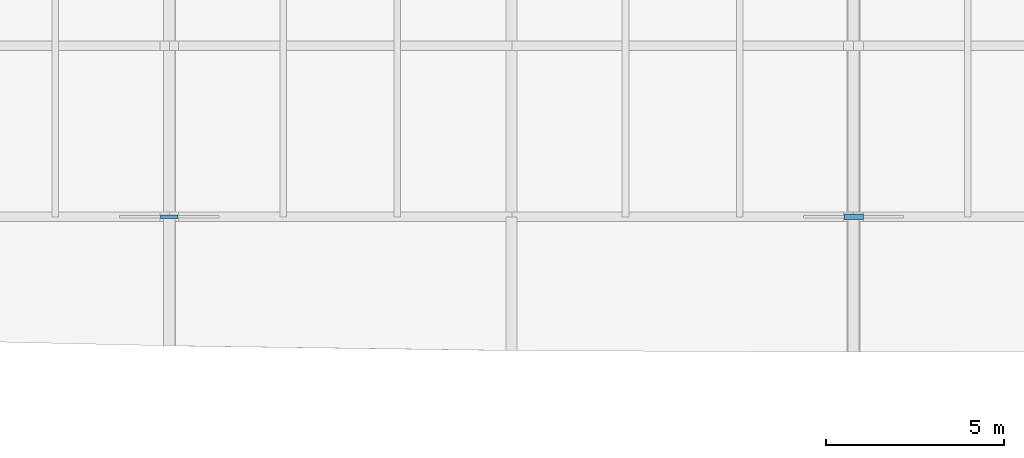
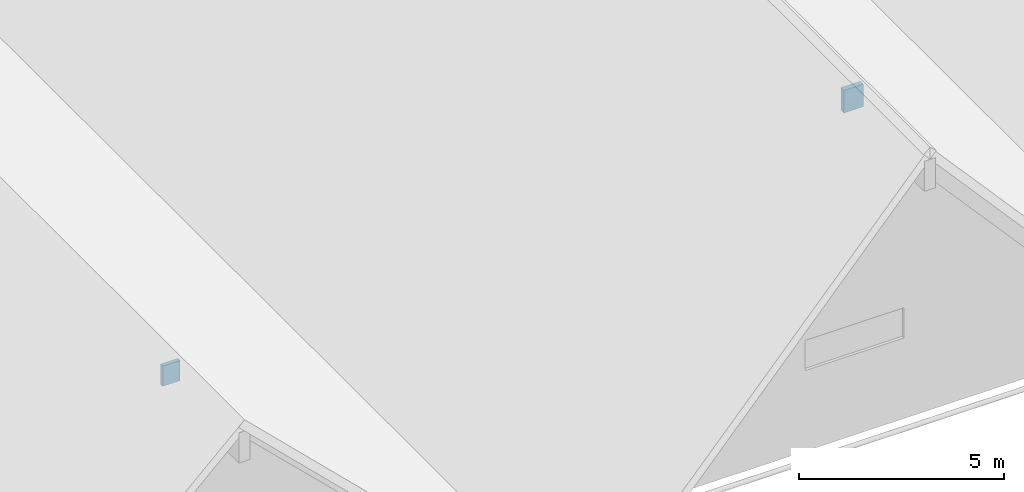
# One storey, part 25 of 42: 2 plates.
"""IFC4 building model written with IfcOpenShell, lengths in metres."""

import ifcopenshell
import ifcopenshell.guid

model = None  # the IFC model being written
_history = None  # IfcOwnerHistory: only IFC2X3 demands one
_inside = {}  # id of a spatial element -> (the spatial element, [elements in it])
_under = {}  # id of a project, library or spatial element -> (it, [spatial elements below it])
_declared = {}  # id of a project -> (the project, [libraries it declares])
_typed = {}  # id of a type object -> (the type object, [elements of that type])
_made_of = {}  # id of a material, layer set ... -> (it, [elements and type objects made of it])


def new_model(schema):
    """Start an empty IFC model of exactly this schema.

    Asked for "IFC4X3", IfcOpenShell would pick the latest addendum, in which some entities
    have other attributes; the version numbers below select the first issue.
    IFC2X3 requires an IfcOwnerHistory on every rooted entity: one is made here for all.
    """
    global model, _history
    if schema == "IFC4X3":
        model = ifcopenshell.file(schema_version=(4, 3, 0, 0))
    else:
        model = ifcopenshell.file(schema=schema)
    _inside.clear()
    _under.clear()
    _declared.clear()
    _typed.clear()
    _made_of.clear()
    _history = None
    if model.schema == "IFC2X3":
        org = make("IfcOrganization", Name="unknown")
        user = make(
            "IfcPersonAndOrganization",
            ThePerson=make("IfcPerson", FamilyName="unknown"),
            TheOrganization=org,
        )
        app = make(
            "IfcApplication",
            ApplicationDeveloper=org,
            Version="unknown",
            ApplicationFullName="unknown",
            ApplicationIdentifier="unknown",
        )
        _history = make(
            "IfcOwnerHistory",
            OwningUser=user,
            OwningApplication=app,
            ChangeAction="ADDED",
            CreationDate=0,
        )
    return model


def make(cls, **values):
    """One entity of the class cls with the attributes given. An attribute that is None is left unset."""
    return model.create_entity(
        cls, **{name: value for name, value in values.items() if value is not None}
    )


def rooted(cls, **values):
    """An entity with a GlobalId (a new one), such as an element, a storey or a relation."""
    return make(cls, GlobalId=ifcopenshell.guid.new(), OwnerHistory=_history, **values)


def si_unit(unit_type, name, prefix=None):
    """IfcSIUnit, for example si_unit("LENGTHUNIT", "METRE", prefix="MILLI")."""
    return make("IfcSIUnit", UnitType=unit_type, Prefix=prefix, Name=name)


def assignment(units):
    """IfcUnitAssignment: the units of a project."""
    return None if units is None else make("IfcUnitAssignment", Units=units)


def point(xyz):
    """IfcCartesianPoint."""
    return None if xyz is None else make("IfcCartesianPoint", Coordinates=xyz)


def direction(xyz):
    """IfcDirection."""
    return None if xyz is None else make("IfcDirection", DirectionRatios=xyz)


def frame(location, z_axis=None, x_axis=None):
    """IfcAxis2Placement3D, a coordinate frame: its origin and axes. An axis left out is left unset."""
    return make(
        "IfcAxis2Placement3D",
        Location=point(location),
        Axis=direction(z_axis),
        RefDirection=direction(x_axis),
    )


def frame_2d(location, x_axis=None):
    """IfcAxis2Placement2D, a coordinate frame in the plane: its origin and x axis."""
    return make(
        "IfcAxis2Placement2D", Location=point(location), RefDirection=direction(x_axis)
    )


def origin():
    """The frame at (0, 0, 0) with its axes left unset."""
    return frame((0.0, 0.0, 0.0))


def origin_2d():
    """The frame at (0, 0) in the plane with its x axis left unset."""
    return frame_2d((0.0, 0.0))


def place(relative_to, where):
    """IfcLocalPlacement: puts the frame where relative to a parent placement (None: the world)."""
    return make(
        "IfcLocalPlacement", PlacementRelTo=relative_to, RelativePlacement=where
    )


def context(
    kind, dimensions, precision=None, world=None, true_north=None, identifier=None
):
    """IfcGeometricRepresentationContext, for example the 3D "Model" context."""
    return make(
        "IfcGeometricRepresentationContext",
        ContextIdentifier=identifier,
        ContextType=kind,
        CoordinateSpaceDimension=dimensions,
        Precision=precision,
        WorldCoordinateSystem=world,
        TrueNorth=true_north,
    )


def subcontext(parent, identifier, kind, view, scale=None):
    """IfcGeometricRepresentationSubContext, for example "Body" below "Model"."""
    return make(
        "IfcGeometricRepresentationSubContext",
        ContextIdentifier=identifier,
        ContextType=kind,
        ParentContext=parent,
        TargetScale=scale,
        TargetView=view,
    )


def project(units=None, contexts=None):
    """IfcProject with its units and contexts."""
    return rooted(
        "IfcProject",
        Name="project",
        RepresentationContexts=contexts,
        UnitsInContext=assignment(units),
    )


def spatial(cls, under=None, at=None, **own):
    """A site, building, storey or space (cls), placed at a placement, below another one or the project."""
    s = rooted(cls, ObjectPlacement=at, **own)
    if under is not None:
        _under.setdefault(under.id(), (under, []))[1].append(s)
    return s


def profile(cls, at=None, kind="AREA", **sizes):
    """A parametric profile (cls). Its sizes go by their IFC names, for example OverallWidth=200.0."""
    return make(cls, ProfileType=kind, Position=at, **sizes)


def rectangle(**sizes):
    """IfcRectangleProfileDef."""
    return profile("IfcRectangleProfileDef", **sizes)


def extrude(swept, where, along, depth):
    """IfcExtrudedAreaSolid: the profile swept, set in the frame where, extruded along a direction by depth."""
    return make(
        "IfcExtrudedAreaSolid",
        SweptArea=swept,
        Position=where,
        ExtrudedDirection=direction(along),
        Depth=depth,
    )


def shape(context_of_items, identifier, shape_type, items):
    """IfcShapeRepresentation: the items that make up one representation, for example the "Body"."""
    return make(
        "IfcShapeRepresentation",
        ContextOfItems=context_of_items,
        RepresentationIdentifier=identifier,
        RepresentationType=shape_type,
        Items=items,
    )


def material(Name=None, Category=None):
    """IfcMaterial."""
    return make("IfcMaterial", Name=Name, Category=Category)


def layer(
    of_material, thickness, ventilated=None, Name=None, Category=None, Priority=None
):
    """IfcMaterialLayer: one layer of a wall or slab, of a material (None: an air gap)."""
    return make(
        "IfcMaterialLayer",
        Material=of_material,
        LayerThickness=thickness,
        IsVentilated=ventilated,
        Name=Name,
        Category=Category,
        Priority=Priority,
    )


def layer_set(layers, Name=None):
    """IfcMaterialLayerSet."""
    return make("IfcMaterialLayerSet", MaterialLayers=layers, LayerSetName=Name)


def made_of(thing, what):
    """Note that an element or type object is made of a material, layer set ...; save() writes the relation."""
    if what is not None:
        _made_of.setdefault(what.id(), (what, []))[1].append(thing)
    return thing


def type_object(cls, material=None, **own):
    """A type object (cls), such as IfcWallType, which elements share."""
    return made_of(rooted(cls, **own), material)


def element(
    cls,
    number,
    at=None,
    inside=None,
    cuts=None,
    type_object=None,
    material=None,
    context=None,
    identifier="Body",
    shape_type=None,
    held_by="IfcProductDefinitionShape",
    body=None,
    shapes=None,
    **own,
):
    """One element of the class cls, such as IfcWall. Its Tag is "e" and its number.

    at: its placement. inside: the storey or other place that contains it. cuts: it is an
    opening in that element (IfcRelVoidsElement). A single representation is given by context,
    identifier, shape_type and body (its items); several are given by shapes. held_by: the class
    of the entity that holds the representations. save() writes the other relations.
    """
    e = rooted(cls, Tag="e%d" % number, ObjectPlacement=at, **own)
    if body is not None:
        shapes = [shape(context, identifier, shape_type, body)]
    if shapes is not None:
        e.Representation = make(held_by, Representations=shapes)
    if inside is not None:
        _inside.setdefault(inside.id(), (inside, []))[1].append(e)
    if cuts is not None:
        rooted(
            "IfcRelVoidsElement", RelatingBuildingElement=cuts, RelatedOpeningElement=e
        )
    if type_object is not None:
        _typed.setdefault(type_object.id(), (type_object, []))[1].append(e)
    return made_of(e, material)


def aggregate(whole, parts):
    """IfcRelAggregates: a whole, such as a stair, and the parts it consists of."""
    return rooted("IfcRelAggregates", RelatingObject=whole, RelatedObjects=parts)


def save(model, path):
    """Write the relations noted so far, then the file.

    IfcRelAggregates (storeys below a building ...), IfcRelContainedInSpatialStructure (elements
    in a storey), IfcRelDefinesByType, IfcRelAssociatesMaterial and IfcRelDeclares: one each for
    every whole, place, type object, material and project.
    """
    for whole, parts in _under.values():
        aggregate(whole, parts)
    for where, things in _inside.values():
        rooted(
            "IfcRelContainedInSpatialStructure",
            RelatedElements=things,
            RelatingStructure=where,
        )
    for kind, things in _typed.values():
        rooted("IfcRelDefinesByType", RelatedObjects=things, RelatingType=kind)
    for what, things in _made_of.values():
        rooted("IfcRelAssociatesMaterial", RelatedObjects=things, RelatingMaterial=what)
    for by, libraries in _declared.values():
        rooted("IfcRelDeclares", RelatingContext=by, RelatedDefinitions=libraries)
    model.write(path)


model = new_model("IFC4")

# Units and contexts
model_context = context("Model", 3, precision=1e-05, world=origin(), true_north=direction((0.0, 1.0)))
body_context = subcontext(model_context, "Body", "Model", "MODEL_VIEW")
ifc_project = project(units=[si_unit("LENGTHUNIT", "METRE"), si_unit("AREAUNIT", "SQUARE_METRE"), si_unit("VOLUMEUNIT", "CUBIC_METRE"), si_unit("PLANEANGLEUNIT", "RADIAN"), si_unit("MASSUNIT", "GRAM", prefix="KILO")], contexts=[model_context])

# Site, building, storey
site_placement = place(None, origin())
site = spatial("IfcSite", under=ifc_project, at=site_placement, CompositionType="ELEMENT")
building_placement = place(site_placement, origin())
building = spatial("IfcBuilding", under=site, at=building_placement, Name="Kolvemor Railside Polytechnic", CompositionType="ELEMENT")
storey_placement = place(building_placement, frame((0.0, 0.0, 14.39990234375)))
storey = spatial("IfcBuildingStorey", under=building, at=storey_placement, Name="L03", CompositionType="ELEMENT", Elevation=14.39990234375)

# Plates
ifc_material_1 = material(Name="Steel S355", Category="steel")
ifc_layer_1 = layer(ifc_material_1, 0.10791015625, Name="PLT-GUSSET-10")
ifc_layer_set_1 = layer_set([ifc_layer_1], Name="Steel S355")
plate_type_1 = type_object("IfcPlateType", Name="PLT-GUSSET-10", PredefinedType="USERDEFINED", material=ifc_layer_set_1)
plate_1_placement = place(storey_placement, frame((67.199951171875, 91.199951171875, 4.015869140625), z_axis=(0.0, 0.0, 1.0), x_axis=(1.0, 0.0, 0.0)))
element("IfcPlate", 1, at=plate_1_placement, inside=storey, type_object=plate_type_1, Name="Ridge Gusset Plate GP-3-1", ObjectType="GUSSET PLATE", PredefinedType="USERDEFINED", context=body_context, shape_type="SweptSolid", body=[
    extrude(rectangle(XDim=0.489990234375, YDim=0.10791015625, at=origin_2d()), origin(), (0.0, 0.0, 1.0), 0.60009765625),
])
ifc_material_2 = material(Name="Steel S355", Category="steel")
ifc_layer_2 = layer(ifc_material_2, 0.14794921875, Name="PLT-GUSSET-14")
ifc_layer_set_2 = layer_set([ifc_layer_2], Name="Steel S355")
plate_type_2 = type_object("IfcPlateType", Name="PLT-GUSSET-14", PredefinedType="USERDEFINED", material=ifc_layer_set_2)
plate_2_placement = place(storey_placement, frame((86.39990234375, 91.199951171875, 5.45263671875), z_axis=(0.0, 0.0, 1.0), x_axis=(1.0, 0.0, 0.0)))
element("IfcPlate", 2, at=plate_2_placement, inside=storey, type_object=plate_type_2, Name="Ridge Gusset Plate GP-4-1", ObjectType="GUSSET PLATE", PredefinedType="USERDEFINED", context=body_context, shape_type="SweptSolid", body=[
    extrude(rectangle(XDim=0.550048828125, YDim=0.14794921875, at=origin_2d()), origin(), (0.0, 0.0, 1.0), 0.672119140625),
])

save(model, "model.ifc")
